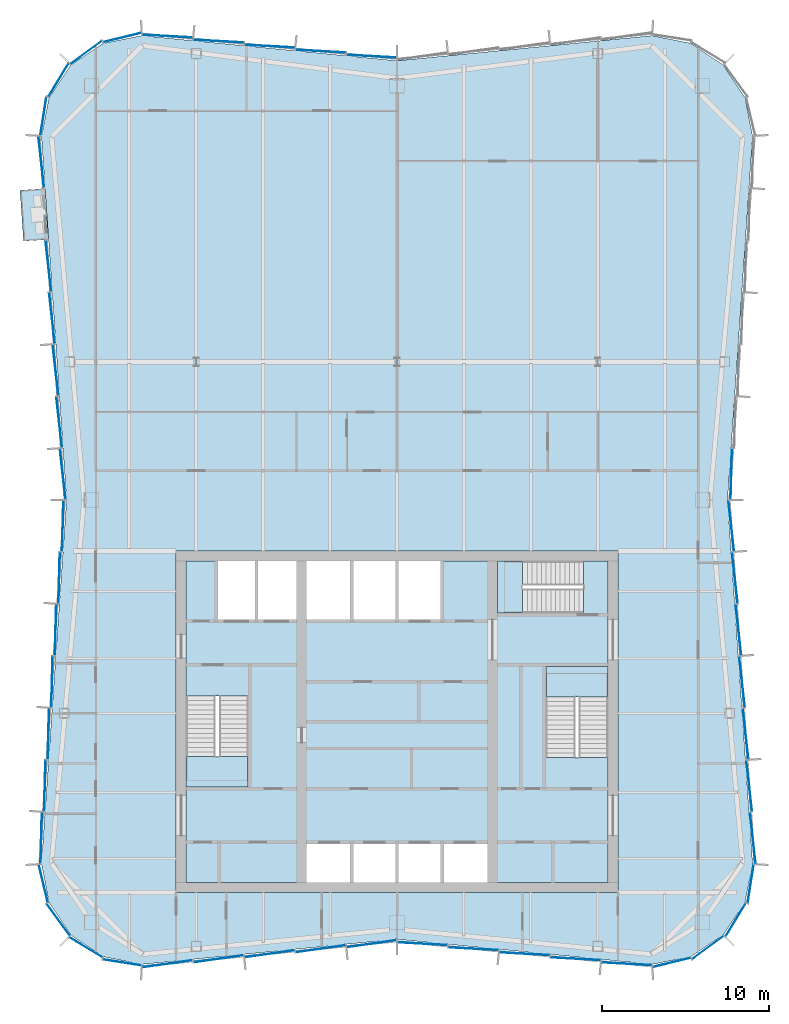
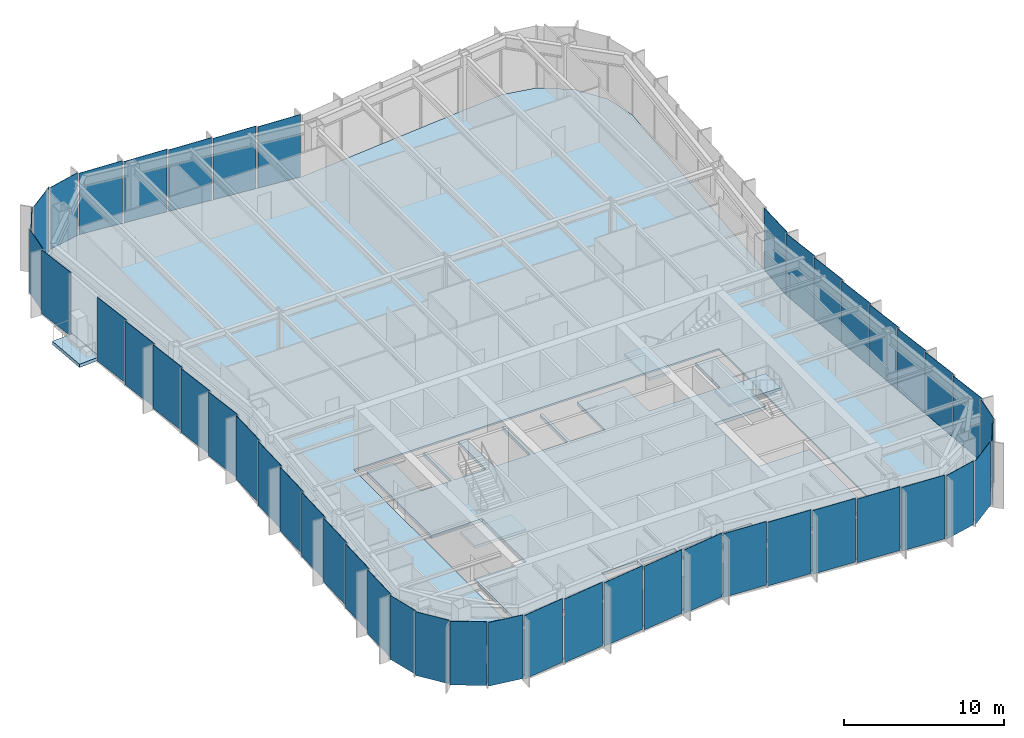
# One storey, part 8 of 14: 48 plates, 6 slabs, 10 elements without a shape of their own.
"""IFC4 building model written with IfcOpenShell, lengths in metres."""

from ifc_helpers import new_model, si_unit, direction, frame, origin, origin_2d, place, context, subcontext, project, spatial, polyline, rectangle, outline, extrude, material, layer, layer_set, type_object, element, aggregate, save


model = new_model("IFC4")

# Units and contexts
model_context = context("Model", 3, precision=1e-05, world=origin(), true_north=direction((0.0, 1.0)))
body_context = subcontext(model_context, "Body", "Model", "MODEL_VIEW")
ifc_project = project(units=[si_unit("LENGTHUNIT", "METRE"), si_unit("AREAUNIT", "SQUARE_METRE"), si_unit("VOLUMEUNIT", "CUBIC_METRE"), si_unit("PLANEANGLEUNIT", "RADIAN"), si_unit("MASSUNIT", "GRAM", prefix="KILO")], contexts=[model_context])

# Site, building, storey
site_placement = place(None, origin())
site = spatial("IfcSite", under=ifc_project, at=site_placement, CompositionType="ELEMENT")
building_placement = place(site_placement, origin())
building = spatial("IfcBuilding", under=site, at=building_placement, Name="Verdant Reach Tower", CompositionType="ELEMENT")
storey_placement = place(building_placement, frame((0.0, 0.0, 289.0)))
storey = spatial("IfcBuildingStorey", under=building, at=storey_placement, Name="L66", CompositionType="ELEMENT", Elevation=289.0)

# Stair, slab
ifc_material_1 = material(Name="Concrete C40/50", Category="concrete")
stair_type = type_object("IfcStairType", Name="CO-STAIR", PredefinedType="HALF_TURN_STAIR", material=ifc_material_1)
stair_1_placement = place(storey_placement, origin())
stair_1 = element("IfcStair", 1, at=stair_1_placement, inside=storey, type_object=stair_type, Name="L66 Exit stair 1", PredefinedType="HALF_TURN_STAIR")
ifc_layer_1 = layer(ifc_material_1, 0.199951171875)
ifc_layer_set_1 = layer_set([ifc_layer_1], Name="CO-STAIR-LANDING")
slab_type_1 = type_object("IfcSlabType", Name="CO-STAIR-LANDING", PredefinedType="LANDING", material=ifc_layer_set_1)
slab_1_placement = place(storey_placement, frame((0.0, 0.0, 2.300048828125)))
slab_1 = element("IfcSlab", 2, at=slab_1_placement, type_object=slab_type_1, Name="ST-1 landing 1", PredefinedType="LANDING", context=body_context, shape_type="SweptSolid", body=[
    extrude(outline(polyline([(-12.60009765625, 25.909912109375), (-12.60009765625, 24.10009765625), (-8.89990234375, 24.10009765625), (-8.89990234375, 25.909912109375), (-12.60009765625, 25.909912109375)])), origin(), (0.0, 0.0, 1.0), 0.199951171875),
])
aggregate(stair_1, [slab_1])

stair_2_placement = place(storey_placement, origin())
stair_2 = element("IfcStair", 3, at=stair_2_placement, inside=storey, type_object=stair_type, Name="L66 Exit stair 2", PredefinedType="HALF_TURN_STAIR")
slab_2_placement = place(storey_placement, frame((0.0, 0.0, 2.300048828125)))
slab_2 = element("IfcSlab", 4, at=slab_2_placement, type_object=slab_type_1, Name="ST-2 landing 1", PredefinedType="LANDING", context=body_context, shape_type="SweptSolid", body=[
    extrude(outline(polyline([(12.60009765625, 29.489990234375), (12.60009765625, 31.300048828125), (8.89990234375, 31.300048828125), (8.89990234375, 29.489990234375), (12.60009765625, 29.489990234375)])), origin(), (0.0, 0.0, 1.0), 0.199951171875),
])
aggregate(stair_2, [slab_2])

stair_3_placement = place(storey_placement, origin())
stair_3 = element("IfcStair", 5, at=stair_3_placement, inside=storey, type_object=stair_type, Name="L66 Exit stair 3", PredefinedType="HALF_TURN_STAIR")
slab_3_placement = place(storey_placement, frame((0.0, 0.0, 2.300048828125)))
slab_3 = element("IfcSlab", 6, at=slab_3_placement, type_object=slab_type_1, Name="ST-3 landing 1", PredefinedType="LANDING", context=body_context, shape_type="SweptSolid", body=[
    extrude(outline(polyline([(7.510009765625, 37.60009765625), (6.0, 37.60009765625), (6.0, 34.5), (7.510009765625, 34.5), (7.510009765625, 37.60009765625)])), origin(), (0.0, 0.0, 1.0), 0.199951171875),
])
aggregate(stair_3, [slab_3])

# Slab
ifc_material_2 = material(Name="Concrete C35/45", Category="concrete")
ifc_layer_2 = layer(ifc_material_2, 0.25)
ifc_layer_set_2 = layer_set([ifc_layer_2], Name="EN-BALCONY SLAB")
slab_type_2 = type_object("IfcSlabType", Name="EN-BALCONY SLAB", PredefinedType="FLOOR", material=ifc_layer_set_2)
slab_4_placement = place(storey_placement, frame((0.0, 0.0, -0.25)))
element("IfcSlab", 7, at=slab_4_placement, inside=storey, type_object=slab_type_2, Name="Balcony slab 1, L66", PredefinedType="FLOOR", context=body_context, shape_type="SweptSolid", body=[
    extrude(outline(polyline([(-21.033203125, 59.85791015625), (-20.82373046875, 56.820556640625), (-22.3203125, 56.717529296875), (-22.52978515625, 59.754638671875), (-21.033203125, 59.85791015625)])), origin(), (0.0, 0.0, 1.0), 0.25),
])

# Curtain wall, plates
ifc_material_3 = material(Name="Anodised aluminium", Category="aluminium")
curtain_wall_type = type_object("IfcCurtainWallType", Name="EN-CW SYSTEM Z5", PredefinedType="NOTDEFINED", material=ifc_material_3)
curtain_wall_1_placement = place(storey_placement, origin())
curtain_wall_1 = element("IfcCurtainWall", 8, at=curtain_wall_1_placement, inside=storey, type_object=curtain_wall_type, Name="Curtain wall south-east corner, L66", PredefinedType="NOTDEFINED")
ifc_material_4 = material(Name="Tinted glass with champagne spandrel", Category="glass")
ifc_layer_3 = layer(ifc_material_4, 0.031982421875)
ifc_layer_set_3 = layer_set([ifc_layer_3], Name="EN-PANEL CHAMPAGNE")
plate_type_1 = type_object("IfcPlateType", Name="EN-PANEL CHAMPAGNE", PredefinedType="CURTAIN_PANEL", material=ifc_layer_set_3)
plate_1_placement = place(storey_placement, frame((18.58203125, 14.51318359375, -0.219970703125), z_axis=(0.0, 0.0, 1.0), x_axis=(0.807456783236, 0.58992672698, 0.0)))
plate_1 = element("IfcPlate", 9, at=plate_1_placement, type_object=plate_type_1, Name="Glass panel south-east corner 2.1, L66", PredefinedType="CURTAIN_PANEL", context=body_context, shape_type="SweptSolid", body=[
    extrude(rectangle(XDim=2.320068359375, YDim=0.031982421875, at=origin_2d()), origin(), (0.0, 0.0, 1.0), 4.8701171875),
])
plate_2_placement = place(storey_placement, frame((20.23681640625, 16.16796875, -0.219970703125), z_axis=(0.0, 0.0, 1.0), x_axis=(0.520291528711, 0.853988714885, 0.0)))
plate_2 = element("IfcPlate", 10, at=plate_2_placement, type_object=plate_type_1, Name="Glass panel south-east corner 3.1, L66", PredefinedType="CURTAIN_PANEL", context=body_context, shape_type="SweptSolid", body=[
    extrude(rectangle(XDim=2.320068359375, YDim=0.031982421875, at=origin_2d()), origin(), (0.0, 0.0, 1.0), 4.8701171875),
])
plate_3_placement = place(storey_placement, frame((21.132080078125, 18.326171875, -0.219970703125), z_axis=(0.0, 0.0, 1.0), x_axis=(0.154337499461, 0.988018186199, 0.0)))
plate_3 = element("IfcPlate", 11, at=plate_3_placement, type_object=plate_type_1, Name="Glass panel south-east corner 4.1, L66", PredefinedType="CURTAIN_PANEL", context=body_context, shape_type="SweptSolid", body=[
    extrude(rectangle(XDim=2.312744140625, YDim=0.031982421875, at=origin_2d()), origin(), (0.0, 0.0, 1.0), 4.8701171875),
])

curtain_wall_2_placement = place(storey_placement, origin())
curtain_wall_2 = element("IfcCurtainWall", 12, at=curtain_wall_2_placement, inside=storey, type_object=curtain_wall_type, Name="Curtain wall east, L66", PredefinedType="NOTDEFINED")
plate_4_placement = place(storey_placement, frame((21.257568359375, 21.053955078125, -0.219970703125), z_axis=(0.0, 0.0, 1.0), x_axis=(-0.110197580247, 0.993909700782, 0.0)))
plate_4 = element("IfcPlate", 13, at=plate_4_placement, type_object=plate_type_1, Name="Glass panel east face part 1 1.1, L66", PredefinedType="CURTAIN_PANEL", context=body_context, shape_type="SweptSolid", body=[
    extrude(rectangle(XDim=3.063720703125, YDim=0.031982421875, at=origin_2d()), origin(), (0.0, 0.0, 1.0), 4.8701171875),
])
plate_5_placement = place(storey_placement, frame((21.043212890625, 24.168701171875, -0.219970703125), z_axis=(0.0, 0.0, 1.0), x_axis=(-0.110518162674, 0.993874104562, 0.0)))
plate_5 = element("IfcPlate", 14, at=plate_5_placement, type_object=plate_type_1, Name="Glass panel east face part 1 2.1, L66", PredefinedType="CURTAIN_PANEL", context=body_context, shape_type="SweptSolid", body=[
    extrude(rectangle(XDim=3.048583984375, YDim=0.031982421875, at=origin_2d()), origin(), (0.0, 0.0, 1.0), 4.8701171875),
])

curtain_wall_3_placement = place(storey_placement, origin())
curtain_wall_3 = element("IfcCurtainWall", 15, at=curtain_wall_3_placement, inside=storey, type_object=curtain_wall_type, Name="Curtain wall north, L66", PredefinedType="NOTDEFINED")
plate_6_placement = place(storey_placement, frame((-1.519287109375, 67.7646484375, -0.219970703125), z_axis=(0.0, 0.0, 1.0), x_axis=(-0.998413420442, 0.05630845301, 0.0)))
plate_6 = element("IfcPlate", 16, at=plate_6_placement, type_object=plate_type_1, Name="Glass panel north face part 2 1.1, L66", PredefinedType="CURTAIN_PANEL", context=body_context, shape_type="SweptSolid", body=[
    extrude(rectangle(XDim=2.987548828125, YDim=0.031982421875, at=origin_2d()), origin(), (0.0, 0.0, 1.0), 4.8701171875),
])
plate_7_placement = place(storey_placement, frame((-4.563720703125, 68.064453125, -0.219970703125), z_axis=(0.0, 0.0, 1.0), x_axis=(-0.998423588956, 0.056127863106, 0.0)))
plate_7 = element("IfcPlate", 17, at=plate_7_placement, type_object=plate_type_1, Name="Glass panel north face part 2 2.1, L66", PredefinedType="CURTAIN_PANEL", context=body_context, shape_type="SweptSolid", body=[
    extrude(rectangle(XDim=2.998779296875, YDim=0.031982421875, at=origin_2d()), origin(), (0.0, 0.0, 1.0), 4.8701171875),
])

curtain_wall_4_placement = place(storey_placement, origin())
curtain_wall_4 = element("IfcCurtainWall", 18, at=curtain_wall_4_placement, inside=storey, type_object=curtain_wall_type, Name="Curtain wall west, L66", PredefinedType="NOTDEFINED")
plate_8_placement = place(storey_placement, frame((-20.400390625, 49.010009765625, -0.219970703125), z_axis=(0.0, 0.0, 1.0), x_axis=(0.110518162674, -0.993874104562, 0.0)))
plate_8 = element("IfcPlate", 19, at=plate_8_placement, type_object=plate_type_1, Name="Glass panel west face part 1 5.1, L66", PredefinedType="CURTAIN_PANEL", context=body_context, shape_type="SweptSolid", body=[
    extrude(rectangle(XDim=3.048583984375, YDim=0.031982421875, at=origin_2d()), origin(), (0.0, 0.0, 1.0), 4.8701171875),
])
plate_9_placement = place(storey_placement, frame((-20.18603515625, 45.90283203125, -0.219970703125), z_axis=(0.0, 0.0, 1.0), x_axis=(0.110518162674, -0.993874104562, 0.0)))
plate_9 = element("IfcPlate", 20, at=plate_9_placement, type_object=plate_type_1, Name="Glass panel west face part 1 6.1, L66", PredefinedType="CURTAIN_PANEL", context=body_context, shape_type="SweptSolid", body=[
    extrude(rectangle(XDim=3.048583984375, YDim=0.031982421875, at=origin_2d()), origin(), (0.0, 0.0, 1.0), 4.8701171875),
])
plate_10_placement = place(storey_placement, frame((-21.043212890625, 24.168701171875, -0.219970703125), z_axis=(0.0, 0.0, 1.0), x_axis=(-0.026965318308, -0.999636369691, 0.0)))
plate_10 = element("IfcPlate", 21, at=plate_10_placement, type_object=plate_type_1, Name="Glass panel west face part 2 6.1, L66", PredefinedType="CURTAIN_PANEL", context=body_context, shape_type="SweptSolid", body=[
    extrude(rectangle(XDim=3.048583984375, YDim=0.031982421875, at=origin_2d()), origin(), (0.0, 0.0, 1.0), 4.8701171875),
])
plate_11_placement = place(storey_placement, frame((-21.257568359375, 21.053955078125, -0.219970703125), z_axis=(0.0, 0.0, 1.0), x_axis=(-0.026642881595, -0.999645015423, 0.0)))
plate_11 = element("IfcPlate", 22, at=plate_11_placement, type_object=plate_type_1, Name="Glass panel west face part 2 7.1, L66", PredefinedType="CURTAIN_PANEL", context=body_context, shape_type="SweptSolid", body=[
    extrude(rectangle(XDim=3.063720703125, YDim=0.031982421875, at=origin_2d()), origin(), (0.0, 0.0, 1.0), 4.8701171875),
])

curtain_wall_5_placement = place(storey_placement, origin())
curtain_wall_5 = element("IfcCurtainWall", 23, at=curtain_wall_5_placement, inside=storey, type_object=curtain_wall_type, Name="Curtain wall south, L66", PredefinedType="NOTDEFINED")
plate_12_placement = place(storey_placement, frame((-10.663818359375, 13.83544921875, -0.219970703125), z_axis=(0.0, 0.0, 1.0), x_axis=(0.990225318365, 0.139476947446, 0.0)))
plate_12 = element("IfcPlate", 24, at=plate_12_placement, type_object=plate_type_1, Name="Glass panel south face part 1 2.1, L66", PredefinedType="CURTAIN_PANEL", context=body_context, shape_type="SweptSolid", body=[
    extrude(rectangle(XDim=2.998779296875, YDim=0.031982421875, at=origin_2d()), origin(), (0.0, 0.0, 1.0), 4.8701171875),
])
plate_13_placement = place(storey_placement, frame((-7.61376953125, 14.135498046875, -0.219970703125), z_axis=(0.0, 0.0, 1.0), x_axis=(0.990225318365, 0.139476947446, 0.0)))
plate_13 = element("IfcPlate", 25, at=plate_13_placement, type_object=plate_type_1, Name="Glass panel south face part 1 3.1, L66", PredefinedType="CURTAIN_PANEL", context=body_context, shape_type="SweptSolid", body=[
    extrude(rectangle(XDim=2.998779296875, YDim=0.031982421875, at=origin_2d()), origin(), (0.0, 0.0, 1.0), 4.8701171875),
])
plate_14_placement = place(storey_placement, frame((-4.563720703125, 14.435546875, -0.219970703125), z_axis=(0.0, 0.0, 1.0), x_axis=(0.990225318365, 0.139476947446, 0.0)))
plate_14 = element("IfcPlate", 26, at=plate_14_placement, type_object=plate_type_1, Name="Glass panel south face part 1 4.1, L66", PredefinedType="CURTAIN_PANEL", context=body_context, shape_type="SweptSolid", body=[
    extrude(rectangle(XDim=2.998779296875, YDim=0.031982421875, at=origin_2d()), origin(), (0.0, 0.0, 1.0), 4.8701171875),
])
plate_15_placement = place(storey_placement, frame((10.663818359375, 13.83544921875, -0.219970703125), z_axis=(0.0, 0.0, 1.0), x_axis=(0.998423588956, -0.056127863106, 0.0)))
plate_15 = element("IfcPlate", 27, at=plate_15_placement, type_object=plate_type_1, Name="Glass panel south face part 2 4.1, L66", PredefinedType="CURTAIN_PANEL", context=body_context, shape_type="SweptSolid", body=[
    extrude(rectangle(XDim=2.998779296875, YDim=0.031982421875, at=origin_2d()), origin(), (0.0, 0.0, 1.0), 4.8701171875),
])
plate_16_placement = place(storey_placement, frame((13.72216796875, 13.535400390625, -0.219970703125), z_axis=(0.0, 0.0, 1.0), x_axis=(0.998446157248, -0.055724959185, 0.0)))
plate_16 = element("IfcPlate", 28, at=plate_16_placement, type_object=plate_type_1, Name="Glass panel south face part 2 5.1, L66", PredefinedType="CURTAIN_PANEL", context=body_context, shape_type="SweptSolid", body=[
    extrude(rectangle(XDim=3.015625, YDim=0.031982421875, at=origin_2d()), origin(), (0.0, 0.0, 1.0), 4.8701171875),
])

# Plate
ifc_material_5 = material(Name="Tinted glass with copper spandrel", Category="glass")
ifc_layer_4 = layer(ifc_material_5, 0.031982421875)
ifc_layer_set_4 = layer_set([ifc_layer_4], Name="EN-PANEL COPPER")
plate_type_2 = type_object("IfcPlateType", Name="EN-PANEL COPPER", PredefinedType="CURTAIN_PANEL", material=ifc_layer_set_4)
plate_17_placement = place(storey_placement, frame((20.8291015625, 27.27587890625, -0.219970703125), z_axis=(0.0, 0.0, 1.0), x_axis=(-0.110518162674, 0.993874104562, 0.0)))
plate_17 = element("IfcPlate", 29, at=plate_17_placement, type_object=plate_type_2, Name="Glass panel east face part 1 3.1, L66", PredefinedType="CURTAIN_PANEL", context=body_context, shape_type="SweptSolid", body=[
    extrude(rectangle(XDim=3.048583984375, YDim=0.031982421875, at=origin_2d()), origin(), (0.0, 0.0, 1.0), 4.8701171875),
])

plate_18_placement = place(storey_placement, frame((20.61474609375, 30.3828125, -0.219970703125), z_axis=(0.0, 0.0, 1.0), x_axis=(-0.110518162674, 0.993874104562, 0.0)))
plate_18 = element("IfcPlate", 30, at=plate_18_placement, type_object=plate_type_2, Name="Glass panel east face part 1 4.1, L66", PredefinedType="CURTAIN_PANEL", context=body_context, shape_type="SweptSolid", body=[
    extrude(rectangle(XDim=3.048583984375, YDim=0.031982421875, at=origin_2d()), origin(), (0.0, 0.0, 1.0), 4.8701171875),
])

plate_19_placement = place(storey_placement, frame((20.400390625, 33.489990234375, -0.219970703125), z_axis=(0.0, 0.0, 1.0), x_axis=(-0.110518162674, 0.993874104562, 0.0)))
plate_19 = element("IfcPlate", 31, at=plate_19_placement, type_object=plate_type_2, Name="Glass panel east face part 1 5.1, L66", PredefinedType="CURTAIN_PANEL", context=body_context, shape_type="SweptSolid", body=[
    extrude(rectangle(XDim=3.048583984375, YDim=0.031982421875, at=origin_2d()), origin(), (0.0, 0.0, 1.0), 4.8701171875),
])

plate_20_placement = place(storey_placement, frame((-7.61376953125, 68.364501953125, -0.219970703125), z_axis=(0.0, 0.0, 1.0), x_axis=(-0.998423588956, 0.056127863106, 0.0)))
plate_20 = element("IfcPlate", 32, at=plate_20_placement, type_object=plate_type_2, Name="Glass panel north face part 2 3.1, L66", PredefinedType="CURTAIN_PANEL", context=body_context, shape_type="SweptSolid", body=[
    extrude(rectangle(XDim=2.998779296875, YDim=0.031982421875, at=origin_2d()), origin(), (0.0, 0.0, 1.0), 4.8701171875),
])

plate_21_placement = place(storey_placement, frame((-10.663818359375, 68.66455078125, -0.219970703125), z_axis=(0.0, 0.0, 1.0), x_axis=(-0.998423588956, 0.056127863106, 0.0)))
plate_21 = element("IfcPlate", 33, at=plate_21_placement, type_object=plate_type_2, Name="Glass panel north face part 2 4.1, L66", PredefinedType="CURTAIN_PANEL", context=body_context, shape_type="SweptSolid", body=[
    extrude(rectangle(XDim=2.998779296875, YDim=0.031982421875, at=origin_2d()), origin(), (0.0, 0.0, 1.0), 4.8701171875),
])

# Curtain wall, plates
curtain_wall_6_placement = place(storey_placement, origin())
curtain_wall_6 = element("IfcCurtainWall", 34, at=curtain_wall_6_placement, inside=storey, type_object=curtain_wall_type, Name="Curtain wall north-west corner, L66", PredefinedType="NOTDEFINED")
plate_22_placement = place(storey_placement, frame((-16.4228515625, 68.88232421875, -0.219970703125), z_axis=(0.0, 0.0, 1.0), x_axis=(-0.971661765526, -0.236375577028, 0.0)))
plate_22 = element("IfcPlate", 35, at=plate_22_placement, type_object=plate_type_2, Name="Glass panel north-west corner 1.1, L66", PredefinedType="CURTAIN_PANEL", context=body_context, shape_type="SweptSolid", body=[
    extrude(rectangle(XDim=2.314453125, YDim=0.031982421875, at=origin_2d()), origin(), (0.0, 0.0, 1.0), 4.8701171875),
])
plate_23_placement = place(storey_placement, frame((-18.58203125, 67.98681640625, -0.219970703125), z_axis=(0.0, 0.0, 1.0), x_axis=(-0.807456783236, -0.58992672698, 0.0)))
plate_23 = element("IfcPlate", 36, at=plate_23_placement, type_object=plate_type_2, Name="Glass panel north-west corner 2.1, L66", PredefinedType="CURTAIN_PANEL", context=body_context, shape_type="SweptSolid", body=[
    extrude(rectangle(XDim=2.320068359375, YDim=0.031982421875, at=origin_2d()), origin(), (0.0, 0.0, 1.0), 4.8701171875),
])
plate_24_placement = place(storey_placement, frame((-20.23681640625, 66.33203125, -0.219970703125), z_axis=(0.0, 0.0, 1.0), x_axis=(-0.520291528711, -0.853988714885, 0.0)))
plate_24 = element("IfcPlate", 37, at=plate_24_placement, type_object=plate_type_2, Name="Glass panel north-west corner 3.1, L66", PredefinedType="CURTAIN_PANEL", context=body_context, shape_type="SweptSolid", body=[
    extrude(rectangle(XDim=2.320068359375, YDim=0.031982421875, at=origin_2d()), origin(), (0.0, 0.0, 1.0), 4.8701171875),
])

# Plate
plate_25_placement = place(storey_placement, frame((-21.257568359375, 61.446044921875, -0.219970703125), z_axis=(0.0, 0.0, 1.0), x_axis=(0.110197580247, -0.993909700782, 0.0)))
plate_25 = element("IfcPlate", 38, at=plate_25_placement, type_object=plate_type_2, Name="Glass panel west face part 1 1.1, L66", PredefinedType="CURTAIN_PANEL", context=body_context, shape_type="SweptSolid", body=[
    extrude(rectangle(XDim=3.063720703125, YDim=0.031982421875, at=origin_2d()), origin(), (0.0, 0.0, 1.0), 4.8701171875),
])

plate_26_placement = place(storey_placement, frame((-19.971923828125, 42.799560546875, -0.219970703125), z_axis=(0.0, 0.0, 1.0), x_axis=(0.110605344993, -0.993864406073, 0.0)))
plate_26 = element("IfcPlate", 39, at=plate_26_placement, type_object=plate_type_2, Name="Glass panel west face part 1 7.1, L66", PredefinedType="CURTAIN_PANEL", context=body_context, shape_type="SweptSolid", body=[
    extrude(rectangle(XDim=3.04052734375, YDim=0.031982421875, at=origin_2d()), origin(), (0.0, 0.0, 1.0), 4.8701171875),
])

plate_27_placement = place(storey_placement, frame((-19.971923828125, 39.700439453125, -0.219970703125), z_axis=(0.0, 0.0, 1.0), x_axis=(-0.027053006415, -0.999634000444, 0.0)))
plate_27 = element("IfcPlate", 40, at=plate_27_placement, type_object=plate_type_2, Name="Glass panel west face part 2 1.1, L66", PredefinedType="CURTAIN_PANEL", context=body_context, shape_type="SweptSolid", body=[
    extrude(rectangle(XDim=3.04052734375, YDim=0.031982421875, at=origin_2d()), origin(), (0.0, 0.0, 1.0), 4.8701171875),
])

plate_28_placement = place(storey_placement, frame((-20.18603515625, 36.59716796875, -0.219970703125), z_axis=(0.0, 0.0, 1.0), x_axis=(-0.026965318308, -0.999636369691, 0.0)))
plate_28 = element("IfcPlate", 41, at=plate_28_placement, type_object=plate_type_2, Name="Glass panel west face part 2 2.1, L66", PredefinedType="CURTAIN_PANEL", context=body_context, shape_type="SweptSolid", body=[
    extrude(rectangle(XDim=3.048583984375, YDim=0.031982421875, at=origin_2d()), origin(), (0.0, 0.0, 1.0), 4.8701171875),
])

plate_29_placement = place(storey_placement, frame((-20.400390625, 33.489990234375, -0.219970703125), z_axis=(0.0, 0.0, 1.0), x_axis=(-0.026965318308, -0.999636369691, 0.0)))
plate_29 = element("IfcPlate", 42, at=plate_29_placement, type_object=plate_type_2, Name="Glass panel west face part 2 3.1, L66", PredefinedType="CURTAIN_PANEL", context=body_context, shape_type="SweptSolid", body=[
    extrude(rectangle(XDim=3.048583984375, YDim=0.031982421875, at=origin_2d()), origin(), (0.0, 0.0, 1.0), 4.8701171875),
])

# Curtain wall, plate
curtain_wall_7_placement = place(storey_placement, origin())
curtain_wall_7 = element("IfcCurtainWall", 43, at=curtain_wall_7_placement, inside=storey, type_object=curtain_wall_type, Name="Curtain wall south-west corner, L66", PredefinedType="NOTDEFINED")
plate_30_placement = place(storey_placement, frame((-21.132080078125, 18.326171875, -0.219970703125), z_axis=(0.0, 0.0, 1.0), x_axis=(0.236471447122, -0.971638438256, 0.0)))
plate_30 = element("IfcPlate", 44, at=plate_30_placement, type_object=plate_type_2, Name="Glass panel south-west corner 1.1, L66", PredefinedType="CURTAIN_PANEL", context=body_context, shape_type="SweptSolid", body=[
    extrude(rectangle(XDim=2.312744140625, YDim=0.031982421875, at=origin_2d()), origin(), (0.0, 0.0, 1.0), 4.8701171875),
])

# Plate
plate_31_placement = place(storey_placement, frame((-1.519287109375, 14.7353515625, -0.219970703125), z_axis=(0.0, 0.0, 1.0), x_axis=(0.990200074141, 0.139656053116, 0.0)))
plate_31 = element("IfcPlate", 45, at=plate_31_placement, type_object=plate_type_2, Name="Glass panel south face part 1 5.1, L66", PredefinedType="CURTAIN_PANEL", context=body_context, shape_type="SweptSolid", body=[
    extrude(rectangle(XDim=2.987548828125, YDim=0.031982421875, at=origin_2d()), origin(), (0.0, 0.0, 1.0), 4.8701171875),
])

ifc_material_6 = material(Name="Tinted glass with dark bronze spandrel", Category="glass")
ifc_layer_5 = layer(ifc_material_6, 0.031982421875)
ifc_layer_set_5 = layer_set([ifc_layer_5], Name="EN-PANEL DARK")
plate_type_3 = type_object("IfcPlateType", Name="EN-PANEL DARK", PredefinedType="CURTAIN_PANEL", material=ifc_layer_set_5)
plate_32_placement = place(storey_placement, frame((16.4228515625, 13.61767578125, -0.219970703125), z_axis=(0.0, 0.0, 1.0), x_axis=(0.971661765526, 0.236375577028, 0.0)))
plate_32 = element("IfcPlate", 46, at=plate_32_placement, type_object=plate_type_3, Name="Glass panel south-east corner 1.1, L66", PredefinedType="CURTAIN_PANEL", context=body_context, shape_type="SweptSolid", body=[
    extrude(rectangle(XDim=2.314453125, YDim=0.031982421875, at=origin_2d()), origin(), (0.0, 0.0, 1.0), 4.8701171875),
])

aggregate(curtain_wall_1, [plate_32, plate_1, plate_2, plate_3])

plate_33_placement = place(storey_placement, frame((20.18603515625, 36.59716796875, -0.219970703125), z_axis=(0.0, 0.0, 1.0), x_axis=(-0.110518162674, 0.993874104562, 0.0)))
plate_33 = element("IfcPlate", 47, at=plate_33_placement, type_object=plate_type_3, Name="Glass panel east face part 1 6.1, L66", PredefinedType="CURTAIN_PANEL", context=body_context, shape_type="SweptSolid", body=[
    extrude(rectangle(XDim=3.048583984375, YDim=0.031982421875, at=origin_2d()), origin(), (0.0, 0.0, 1.0), 4.8701171875),
])

plate_34_placement = place(storey_placement, frame((19.971923828125, 39.700439453125, -0.219970703125), z_axis=(0.0, 0.0, 1.0), x_axis=(-0.110605344993, 0.993864406073, 0.0)))
plate_34 = element("IfcPlate", 48, at=plate_34_placement, type_object=plate_type_3, Name="Glass panel east face part 1 7.1, L66", PredefinedType="CURTAIN_PANEL", context=body_context, shape_type="SweptSolid", body=[
    extrude(rectangle(XDim=3.04052734375, YDim=0.031982421875, at=origin_2d()), origin(), (0.0, 0.0, 1.0), 4.8701171875),
])

plate_35_placement = place(storey_placement, frame((19.971923828125, 42.799560546875, -0.219970703125), z_axis=(0.0, 0.0, 1.0), x_axis=(0.027053006415, 0.999634000444, 0.0)))
plate_35 = element("IfcPlate", 49, at=plate_35_placement, type_object=plate_type_3, Name="Glass panel east face part 2 1.1, L66", PredefinedType="CURTAIN_PANEL", context=body_context, shape_type="SweptSolid", body=[
    extrude(rectangle(XDim=3.04052734375, YDim=0.031982421875, at=origin_2d()), origin(), (0.0, 0.0, 1.0), 4.8701171875),
])

aggregate(curtain_wall_2, [plate_4, plate_5, plate_17, plate_18, plate_19, plate_33, plate_34, plate_35])

plate_36_placement = place(storey_placement, frame((-13.72216796875, 68.964599609375, -0.219970703125), z_axis=(0.0, 0.0, 1.0), x_axis=(-0.998446157248, 0.055724959185, 0.0)))
plate_36 = element("IfcPlate", 50, at=plate_36_placement, type_object=plate_type_3, Name="Glass panel north face part 2 5.1, L66", PredefinedType="CURTAIN_PANEL", context=body_context, shape_type="SweptSolid", body=[
    extrude(rectangle(XDim=3.015625, YDim=0.031982421875, at=origin_2d()), origin(), (0.0, 0.0, 1.0), 4.8701171875),
])

aggregate(curtain_wall_3, [plate_6, plate_7, plate_20, plate_21, plate_36])

plate_37_placement = place(storey_placement, frame((-21.132080078125, 64.173828125, -0.219970703125), z_axis=(0.0, 0.0, 1.0), x_axis=(-0.154337499461, -0.988018186199, 0.0)))
plate_37 = element("IfcPlate", 51, at=plate_37_placement, type_object=plate_type_3, Name="Glass panel north-west corner 4.1, L66", PredefinedType="CURTAIN_PANEL", context=body_context, shape_type="SweptSolid", body=[
    extrude(rectangle(XDim=2.312744140625, YDim=0.031982421875, at=origin_2d()), origin(), (0.0, 0.0, 1.0), 4.8701171875),
])

aggregate(curtain_wall_6, [plate_22, plate_23, plate_24, plate_37])

plate_38_placement = place(storey_placement, frame((-20.8291015625, 55.22412109375, -0.219970703125), z_axis=(0.0, 0.0, 1.0), x_axis=(0.110518162674, -0.993874104562, 0.0)))
plate_38 = element("IfcPlate", 52, at=plate_38_placement, type_object=plate_type_3, Name="Glass panel west face part 1 3.1, L66", PredefinedType="CURTAIN_PANEL", context=body_context, shape_type="SweptSolid", body=[
    extrude(rectangle(XDim=3.048583984375, YDim=0.031982421875, at=origin_2d()), origin(), (0.0, 0.0, 1.0), 4.8701171875),
])

plate_39_placement = place(storey_placement, frame((-20.61474609375, 52.1171875, -0.219970703125), z_axis=(0.0, 0.0, 1.0), x_axis=(0.110518162674, -0.993874104562, 0.0)))
plate_39 = element("IfcPlate", 53, at=plate_39_placement, type_object=plate_type_3, Name="Glass panel west face part 1 4.1, L66", PredefinedType="CURTAIN_PANEL", context=body_context, shape_type="SweptSolid", body=[
    extrude(rectangle(XDim=3.048583984375, YDim=0.031982421875, at=origin_2d()), origin(), (0.0, 0.0, 1.0), 4.8701171875),
])

plate_40_placement = place(storey_placement, frame((-20.61474609375, 30.3828125, -0.219970703125), z_axis=(0.0, 0.0, 1.0), x_axis=(-0.026965318308, -0.999636369691, 0.0)))
plate_40 = element("IfcPlate", 54, at=plate_40_placement, type_object=plate_type_3, Name="Glass panel west face part 2 4.1, L66", PredefinedType="CURTAIN_PANEL", context=body_context, shape_type="SweptSolid", body=[
    extrude(rectangle(XDim=3.048583984375, YDim=0.031982421875, at=origin_2d()), origin(), (0.0, 0.0, 1.0), 4.8701171875),
])

plate_41_placement = place(storey_placement, frame((-20.8291015625, 27.27587890625, -0.219970703125), z_axis=(0.0, 0.0, 1.0), x_axis=(-0.026965318308, -0.999636369691, 0.0)))
plate_41 = element("IfcPlate", 55, at=plate_41_placement, type_object=plate_type_3, Name="Glass panel west face part 2 5.1, L66", PredefinedType="CURTAIN_PANEL", context=body_context, shape_type="SweptSolid", body=[
    extrude(rectangle(XDim=3.048583984375, YDim=0.031982421875, at=origin_2d()), origin(), (0.0, 0.0, 1.0), 4.8701171875),
])

aggregate(curtain_wall_4, [plate_25, plate_38, plate_39, plate_8, plate_9, plate_26, plate_27, plate_28, plate_29, plate_40, plate_41, plate_10, plate_11])

plate_42_placement = place(storey_placement, frame((-20.23681640625, 16.16796875, -0.219970703125), z_axis=(0.0, 0.0, 1.0), x_axis=(0.58992672698, -0.807456783236, 0.0)))
plate_42 = element("IfcPlate", 56, at=plate_42_placement, type_object=plate_type_3, Name="Glass panel south-west corner 2.1, L66", PredefinedType="CURTAIN_PANEL", context=body_context, shape_type="SweptSolid", body=[
    extrude(rectangle(XDim=2.320068359375, YDim=0.031982421875, at=origin_2d()), origin(), (0.0, 0.0, 1.0), 4.8701171875),
])

plate_43_placement = place(storey_placement, frame((-18.58203125, 14.51318359375, -0.219970703125), z_axis=(0.0, 0.0, 1.0), x_axis=(0.853988714885, -0.520291528711, 0.0)))
plate_43 = element("IfcPlate", 57, at=plate_43_placement, type_object=plate_type_3, Name="Glass panel south-west corner 3.1, L66", PredefinedType="CURTAIN_PANEL", context=body_context, shape_type="SweptSolid", body=[
    extrude(rectangle(XDim=2.320068359375, YDim=0.031982421875, at=origin_2d()), origin(), (0.0, 0.0, 1.0), 4.8701171875),
])

plate_44_placement = place(storey_placement, frame((-16.4228515625, 13.61767578125, -0.219970703125), z_axis=(0.0, 0.0, 1.0), x_axis=(0.988033409454, -0.154240013621, 0.0)))
plate_44 = element("IfcPlate", 58, at=plate_44_placement, type_object=plate_type_3, Name="Glass panel south-west corner 4.1, L66", PredefinedType="CURTAIN_PANEL", context=body_context, shape_type="SweptSolid", body=[
    extrude(rectangle(XDim=2.314453125, YDim=0.031982421875, at=origin_2d()), origin(), (0.0, 0.0, 1.0), 4.8701171875),
])

aggregate(curtain_wall_7, [plate_30, plate_42, plate_43, plate_44])

plate_45_placement = place(storey_placement, frame((-13.72216796875, 13.535400390625, -0.219970703125), z_axis=(0.0, 0.0, 1.0), x_axis=(0.990281521639, 0.139077345032, 0.0)))
plate_45 = element("IfcPlate", 59, at=plate_45_placement, type_object=plate_type_3, Name="Glass panel south face part 1 1.1, L66", PredefinedType="CURTAIN_PANEL", context=body_context, shape_type="SweptSolid", body=[
    extrude(rectangle(XDim=3.015625, YDim=0.031982421875, at=origin_2d()), origin(), (0.0, 0.0, 1.0), 4.8701171875),
])

plate_46_placement = place(storey_placement, frame((1.519287109375, 14.7353515625, -0.219970703125), z_axis=(0.0, 0.0, 1.0), x_axis=(0.998413420442, -0.05630845301, 0.0)))
plate_46 = element("IfcPlate", 60, at=plate_46_placement, type_object=plate_type_3, Name="Glass panel south face part 2 1.1, L66", PredefinedType="CURTAIN_PANEL", context=body_context, shape_type="SweptSolid", body=[
    extrude(rectangle(XDim=2.987548828125, YDim=0.031982421875, at=origin_2d()), origin(), (0.0, 0.0, 1.0), 4.8701171875),
])

plate_47_placement = place(storey_placement, frame((4.563720703125, 14.435546875, -0.219970703125), z_axis=(0.0, 0.0, 1.0), x_axis=(0.998423588956, -0.056127863106, 0.0)))
plate_47 = element("IfcPlate", 61, at=plate_47_placement, type_object=plate_type_3, Name="Glass panel south face part 2 2.1, L66", PredefinedType="CURTAIN_PANEL", context=body_context, shape_type="SweptSolid", body=[
    extrude(rectangle(XDim=2.998779296875, YDim=0.031982421875, at=origin_2d()), origin(), (0.0, 0.0, 1.0), 4.8701171875),
])

plate_48_placement = place(storey_placement, frame((7.61376953125, 14.135498046875, -0.219970703125), z_axis=(0.0, 0.0, 1.0), x_axis=(0.998423588956, -0.056127863106, 0.0)))
plate_48 = element("IfcPlate", 62, at=plate_48_placement, type_object=plate_type_3, Name="Glass panel south face part 2 3.1, L66", PredefinedType="CURTAIN_PANEL", context=body_context, shape_type="SweptSolid", body=[
    extrude(rectangle(XDim=2.998779296875, YDim=0.031982421875, at=origin_2d()), origin(), (0.0, 0.0, 1.0), 4.8701171875),
])

aggregate(curtain_wall_5, [plate_45, plate_12, plate_13, plate_14, plate_31, plate_46, plate_47, plate_48, plate_15, plate_16])

# Slabs
ifc_material_7 = material(Name="Concrete C35/45", Category="concrete")
ifc_layer_6 = layer(ifc_material_7, 0.1298828125)
ifc_layer_set_6 = layer_set([ifc_layer_6], Name="ST-SLAB-130")
slab_type_3 = type_object("IfcSlabType", Name="ST-SLAB-130", PredefinedType="FLOOR", material=ifc_layer_set_6)
slab_5_placement = place(storey_placement, frame((0.0, 0.0, -0.1298828125)))
element("IfcSlab", 63, at=slab_5_placement, inside=storey, type_object=slab_type_3, Name="Floor slab L66", PredefinedType="FLOOR", context=body_context, shape_type="SweptSolid", body=[
    extrude(outline(polyline([(0.0, 15.0), (-15.25, 13.5), (-17.546142578125, 13.956787109375), (-19.49267578125, 15.25732421875), (-20.793212890625, 17.203857421875), (-21.25, 19.5), (-19.75, 41.25), (-21.25, 63.0), (-20.793212890625, 65.296142578125), (-19.49267578125, 67.24267578125), (-17.546142578125, 68.543212890625), (-15.25, 69.0), (0.0, 67.5), (15.25, 69.0), (17.546142578125, 68.543212890625), (19.49267578125, 67.24267578125), (20.793212890625, 65.296142578125), (21.25, 63.0), (19.75, 41.25), (21.25, 19.5), (20.793212890625, 17.203857421875), (19.49267578125, 15.25732421875), (17.546142578125, 13.956787109375), (15.25, 13.5), (0.0, 15.0)]), holes=[polyline([(13.199951171875, 38.199951171875), (-13.199951171875, 38.199951171875), (-13.199951171875, 17.800048828125), (13.199951171875, 17.800048828125), (13.199951171875, 38.199951171875)])]), origin(), (0.0, 0.0, 1.0), 0.1298828125),
])
ifc_layer_7 = layer(ifc_material_7, 0.25)
ifc_layer_set_7 = layer_set([ifc_layer_7], Name="ST-SLAB-250")
slab_type_4 = type_object("IfcSlabType", Name="ST-SLAB-250", PredefinedType="FLOOR", material=ifc_layer_set_7)
slab_6_placement = place(storey_placement, frame((0.0, 0.0, -0.25)))
element("IfcSlab", 64, at=slab_6_placement, inside=storey, type_object=slab_type_4, Name="Core floor slab L66", PredefinedType="FLOOR", context=body_context, shape_type="SweptSolid", body=[
    extrude(outline(polyline([(12.60009765625, 18.39990234375), (5.39990234375, 18.39990234375), (5.39990234375, 20.699951171875), (2.800048828125, 20.699951171875), (2.800048828125, 18.39990234375), (2.60009765625, 18.39990234375), (2.60009765625, 20.699951171875), (0.10009765625, 20.699951171875), (0.10009765625, 18.39990234375), (-0.10009765625, 18.39990234375), (-0.10009765625, 20.699951171875), (-2.60009765625, 20.699951171875), (-2.60009765625, 18.39990234375), (-2.800048828125, 18.39990234375), (-2.800048828125, 20.699951171875), (-5.39990234375, 20.699951171875), (-5.39990234375, 18.39990234375), (-12.60009765625, 18.39990234375), (-12.60009765625, 24.10009765625), (-8.89990234375, 24.10009765625), (-8.89990234375, 29.548095703125), (-12.60009765625, 29.548095703125), (-12.60009765625, 37.60009765625), (-10.699951171875, 37.60009765625), (-10.699951171875, 34.10009765625), (-8.5, 34.10009765625), (-8.5, 37.60009765625), (-8.300048828125, 37.60009765625), (-8.300048828125, 34.10009765625), (-6.0, 34.10009765625), (-6.0, 37.60009765625), (-5.39990234375, 37.60009765625), (-5.39990234375, 34.10009765625), (-2.800048828125, 34.10009765625), (-2.800048828125, 37.60009765625), (-2.60009765625, 37.60009765625), (-2.60009765625, 34.10009765625), (-0.10009765625, 34.10009765625), (-0.10009765625, 37.60009765625), (0.10009765625, 37.60009765625), (0.10009765625, 34.10009765625), (2.60009765625, 34.10009765625), (2.60009765625, 37.60009765625), (6.0, 37.60009765625), (6.0, 34.5), (11.14794921875, 34.5), (11.14794921875, 37.60009765625), (12.60009765625, 37.60009765625), (12.60009765625, 31.300048828125), (8.89990234375, 31.300048828125), (8.89990234375, 25.85205078125), (12.60009765625, 25.85205078125), (12.60009765625, 18.39990234375)])), origin(), (0.0, 0.0, 1.0), 0.25),
])

save(model, "model.ifc")
